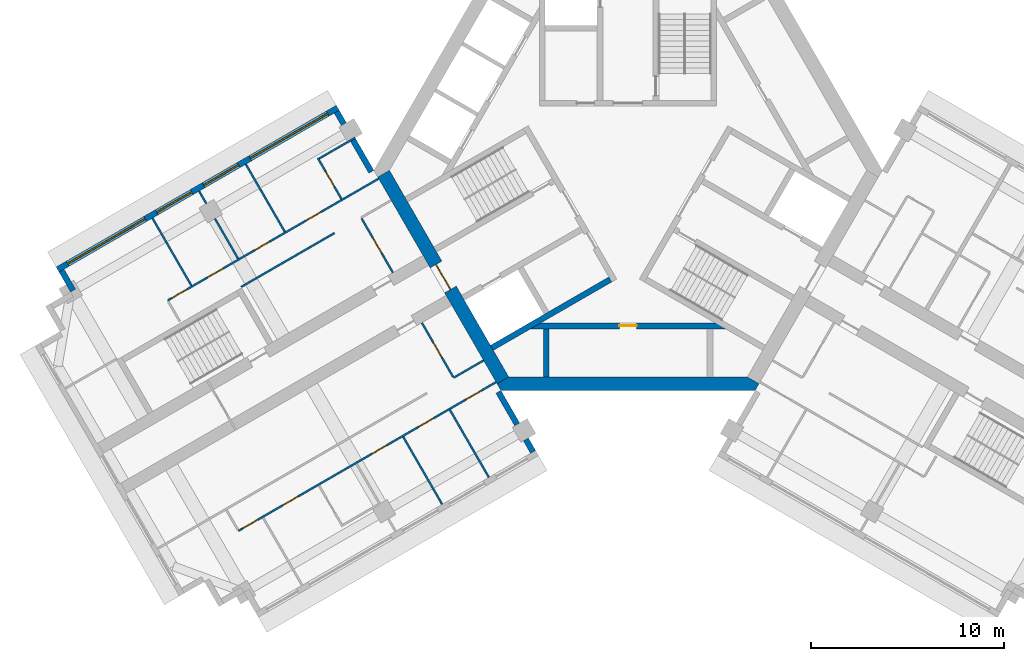
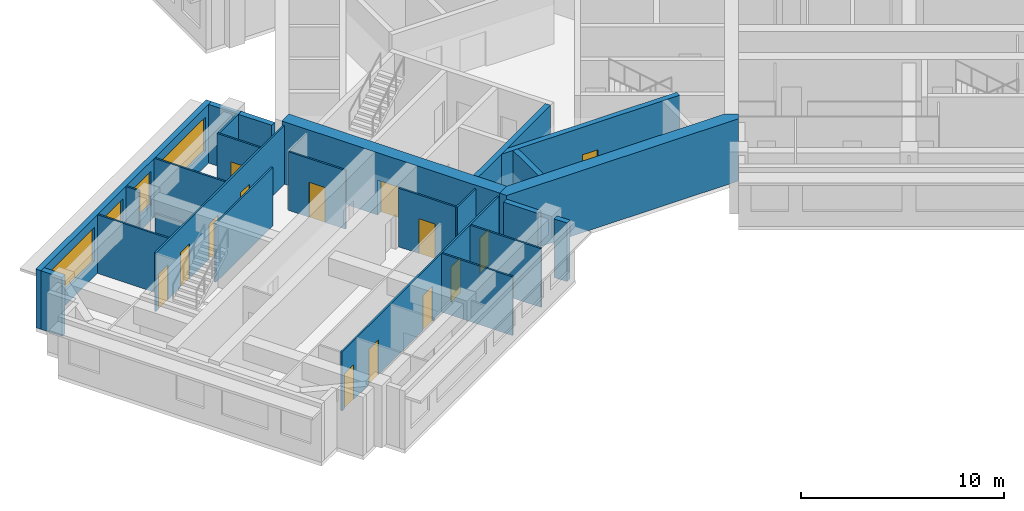
# One storey, part 3 of 10: 24 walls, 14 doors, 4 windows, 18 openings.
"""IFC4 building model written with IfcOpenShell, lengths in metres."""

from ifc_helpers import new_model, si_unit, direction, frame, frame_2d, origin, place, context, subcontext, project, spatial, polyline, rectangle, outline, extrude, material, layer, layer_set, type_object, element, fill, save


model = new_model("IFC4")

# Units and contexts
model_context = context("Model", 3, precision=1e-05, world=origin(), true_north=direction((0.0, 1.0)))
body_context = subcontext(model_context, "Body", "Model", "MODEL_VIEW")
ifc_project = project(units=[si_unit("LENGTHUNIT", "METRE"), si_unit("AREAUNIT", "SQUARE_METRE"), si_unit("VOLUMEUNIT", "CUBIC_METRE"), si_unit("PLANEANGLEUNIT", "RADIAN"), si_unit("MASSUNIT", "GRAM", prefix="KILO")], contexts=[model_context])

# Site, building, storey
site_placement = place(None, origin())
site = spatial("IfcSite", under=ifc_project, at=site_placement, CompositionType="ELEMENT")
building_placement = place(site_placement, origin())
building = spatial("IfcBuilding", under=site, at=building_placement, Name="Impinga Residences", CompositionType="ELEMENT")
storey_placement = place(building_placement, frame((0.0, 0.0, 263.5)))
storey = spatial("IfcBuildingStorey", under=building, at=storey_placement, Name="L66", CompositionType="ELEMENT", Elevation=263.5)

# Wall
ifc_material_1 = material(Name="Terracotta rainscreen on blockwork", Category="masonry")
ifc_layer_1 = layer(ifc_material_1, 0.300048828125)
ifc_layer_set_1 = layer_set([ifc_layer_1], Name="EW1 external wall, terracotta rainscreen on blockwork 300")
wall_type_1 = type_object("IfcWallType", Name="EW1 external wall, terracotta rainscreen on blockwork 300", PredefinedType="SOLIDWALL", material=ifc_layer_set_1)
wall_1_placement = place(storey_placement, frame((-28.8193359375, -6.24658203125, 0.0), z_axis=(0.0, 0.0, 1.0), x_axis=(-0.500033551112, 0.866006032174, 0.0)))
element("IfcWall", 1, at=wall_1_placement, inside=storey, type_object=wall_type_1, Name="External wall EW1 L66", PredefinedType="SOLIDWALL", context=body_context, shape_type="SweptSolid", body=[
    extrude(rectangle(XDim=1.2001953125, YDim=0.300048828125, at=frame_2d((0.60009765625, 0.0))), origin(), (0.0, 0.0, 1.0), 3.530029296875),
])

# Wall, openings, windows
wall_2_placement = place(storey_placement, frame((-29.624267578125, -5.15234375, 0.0), z_axis=(0.0, 0.0, 1.0), x_axis=(0.86602925447, 0.499993330357, 0.0)))
wall_2 = element("IfcWall", 2, at=wall_2_placement, inside=storey, type_object=wall_type_1, Name="External wall EW1 L66", PredefinedType="SOLIDWALL", context=body_context, shape_type="SweptSolid", body=[
    extrude(rectangle(XDim=16.800048828125, YDim=0.300048828125, at=frame_2d((8.39990234375, 0.0))), origin(), (0.0, 0.0, 1.0), 3.530029296875),
])
opening_1_placement = place(wall_2_placement, frame((0.60009765625, 0.0, 0.89990234375)))
opening_1 = element("IfcOpeningElement", 3, at=opening_1_placement, cuts=wall_2, Name="Opening W10", PredefinedType="OPENING", context=body_context, shape_type="SweptSolid", body=[
    extrude(rectangle(XDim=4.64990234375, YDim=2.050048828125, at=frame_2d((2.324951171875, 1.02490234375))), frame((0.0, 0.159912109375, 0.0), z_axis=(0.0, -1.0, 0.0), x_axis=(1.0, 0.0, 0.0)), (0.0, 0.0, 1.0), 0.320068359375),
])
opening_2_placement = place(wall_2_placement, frame((5.949951171875, 0.0, 0.89990234375)))
opening_2 = element("IfcOpeningElement", 4, at=opening_2_placement, cuts=wall_2, Name="Opening W9", PredefinedType="OPENING", context=body_context, shape_type="SweptSolid", body=[
    extrude(rectangle(XDim=2.10009765625, YDim=2.050048828125, at=frame_2d((1.050048828125, 1.02490234375))), frame((0.0, 0.159912109375, 0.0), z_axis=(0.0, -1.0, 0.0), x_axis=(1.0, 0.0, 0.0)), (0.0, 0.0, 1.0), 0.320068359375),
])
opening_3_placement = place(wall_2_placement, frame((8.75, 0.0, 0.89990234375)))
opening_3 = element("IfcOpeningElement", 5, at=opening_3_placement, cuts=wall_2, Name="Opening W9", PredefinedType="OPENING", context=body_context, shape_type="SweptSolid", body=[
    extrude(rectangle(XDim=2.10009765625, YDim=2.050048828125, at=frame_2d((1.050048828125, 1.02490234375))), frame((0.0, 0.159912109375, 0.0), z_axis=(0.0, -1.0, 0.0), x_axis=(1.0, 0.0, 0.0)), (0.0, 0.0, 1.0), 0.320068359375),
])
opening_4_placement = place(wall_2_placement, frame((11.550048828125, 0.0, 0.89990234375)))
opening_4 = element("IfcOpeningElement", 6, at=opening_4_placement, cuts=wall_2, Name="Opening W10", PredefinedType="OPENING", context=body_context, shape_type="SweptSolid", body=[
    extrude(rectangle(XDim=4.64990234375, YDim=2.050048828125, at=frame_2d((2.324951171875, 1.02490234375))), frame((0.0, 0.159912109375, 0.0), z_axis=(0.0, -1.0, 0.0), x_axis=(1.0, 0.0, 0.0)), (0.0, 0.0, 1.0), 0.320068359375),
])
ifc_material_2 = material(Name="Aluminium window, clear double glazing", Category="aluminium")
window_type_1 = type_object("IfcWindowType", Name="W10 ribbon window 4650x2050", PartitioningType="SINGLE_PANEL", PredefinedType="WINDOW", material=ifc_material_2)
window_1_placement = place(opening_1_placement, origin())
window_1 = element("IfcWindow", 7, at=window_1_placement, inside=storey, type_object=window_type_1, Name="Window L66", OverallHeight=2.050048828125, OverallWidth=4.64990234375, PartitioningType="SINGLE_PANEL", PredefinedType="WINDOW", context=body_context, shape_type="SweptSolid", body=[
    extrude(rectangle(XDim=4.64990234375, YDim=2.050048828125, at=frame_2d((2.324951171875, 1.02490234375))), frame((0.0, 0.030029296875, 0.0), z_axis=(0.0, -1.0, 0.0), x_axis=(1.0, 0.0, 0.0)), (0.0, 0.0, 1.0), 0.06005859375),
])
fill(opening_1, window_1)
window_2_placement = place(opening_4_placement, origin())
window_2 = element("IfcWindow", 8, at=window_2_placement, inside=storey, type_object=window_type_1, Name="Window L66", OverallHeight=2.050048828125, OverallWidth=4.64990234375, PartitioningType="SINGLE_PANEL", PredefinedType="WINDOW", context=body_context, shape_type="SweptSolid", body=[
    extrude(rectangle(XDim=4.64990234375, YDim=2.050048828125, at=frame_2d((2.324951171875, 1.02490234375))), frame((0.0, 0.030029296875, 0.0), z_axis=(0.0, -1.0, 0.0), x_axis=(1.0, 0.0, 0.0)), (0.0, 0.0, 1.0), 0.06005859375),
])
fill(opening_4, window_2)
window_type_2 = type_object("IfcWindowType", Name="W9 ribbon window 2100x2050", PartitioningType="SINGLE_PANEL", PredefinedType="WINDOW", material=ifc_material_2)
window_3_placement = place(opening_2_placement, origin())
window_3 = element("IfcWindow", 9, at=window_3_placement, inside=storey, type_object=window_type_2, Name="Window L66", OverallHeight=2.050048828125, OverallWidth=2.10009765625, PartitioningType="SINGLE_PANEL", PredefinedType="WINDOW", context=body_context, shape_type="SweptSolid", body=[
    extrude(rectangle(XDim=2.10009765625, YDim=2.050048828125, at=frame_2d((1.050048828125, 1.02490234375))), frame((0.0, 0.030029296875, 0.0), z_axis=(0.0, -1.0, 0.0), x_axis=(1.0, 0.0, 0.0)), (0.0, 0.0, 1.0), 0.06005859375),
])
fill(opening_2, window_3)
window_4_placement = place(opening_3_placement, origin())
window_4 = element("IfcWindow", 10, at=window_4_placement, inside=storey, type_object=window_type_2, Name="Window L66", OverallHeight=2.050048828125, OverallWidth=2.10009765625, PartitioningType="SINGLE_PANEL", PredefinedType="WINDOW", context=body_context, shape_type="SweptSolid", body=[
    extrude(rectangle(XDim=2.10009765625, YDim=2.050048828125, at=frame_2d((1.050048828125, 1.02490234375))), frame((0.0, 0.030029296875, 0.0), z_axis=(0.0, -1.0, 0.0), x_axis=(1.0, 0.0, 0.0)), (0.0, 0.0, 1.0), 0.06005859375),
])
fill(opening_3, window_4)

# Walls
wall_3_placement = place(storey_placement, frame((-15.1298828125, 3.042724609375, 0.0), z_axis=(0.0, 0.0, 1.0), x_axis=(0.500012057535, -0.866018442252, 0.0)))
element("IfcWall", 11, at=wall_3_placement, inside=storey, type_object=wall_type_1, Name="External wall EW1 L66", PredefinedType="SOLIDWALL", context=body_context, shape_type="SweptSolid", body=[
    extrude(rectangle(XDim=3.60009765625, YDim=0.300048828125, at=frame_2d((1.800048828125, 0.0))), origin(), (0.0, 0.0, 1.0), 3.530029296875),
])
wall_4_placement = place(storey_placement, frame((-6.72998046875, -11.506591796875, 0.0), z_axis=(0.0, 0.0, 1.0), x_axis=(0.500043961785, -0.866000020948, 0.0)))
element("IfcWall", 12, at=wall_4_placement, inside=storey, type_object=wall_type_1, Name="External wall EW1 L66", PredefinedType="SOLIDWALL", context=body_context, shape_type="SweptSolid", body=[
    extrude(rectangle(XDim=1.949951171875, YDim=0.300048828125, at=frame_2d((0.97509765625, 0.0))), origin(), (0.0, 0.0, 1.0), 3.530029296875),
])
wall_5_placement = place(storey_placement, frame((-5.304931640625, -13.974609375, 0.0), z_axis=(0.0, 0.0, 1.0), x_axis=(0.499919672301, -0.866071776036, 0.0)))
element("IfcWall", 13, at=wall_5_placement, inside=storey, type_object=wall_type_1, Name="External wall EW1 L66", PredefinedType="SOLIDWALL", context=body_context, shape_type="SweptSolid", body=[
    extrude(rectangle(XDim=0.75, YDim=0.300048828125, at=frame_2d((0.375, 0.0))), origin(), (0.0, 0.0, 1.0), 3.530029296875),
])
ifc_material_3 = material(Name="Gypsum board on steel studs", Category="steel")
ifc_layer_2 = layer(ifc_material_3, 0.10009765625)
ifc_layer_set_2 = layer_set([ifc_layer_2], Name="Gypsum board on steel studs")
wall_type_2 = type_object("IfcWallType", Name="IP1 partition 100", PredefinedType="PARTITIONING", material=ifc_layer_set_2)
wall_6_placement = place(storey_placement, frame((-7.5, -9.872802734375, 0.0), z_axis=(0.0, 0.0, 1.0), x_axis=(-0.866047807691, -0.499961193289, 0.0)))
element("IfcWall", 14, at=wall_6_placement, inside=storey, type_object=wall_type_2, Name="Partition L66-WA1:DIV0", PredefinedType="PARTITIONING", context=body_context, shape_type="SweptSolid", body=[
    extrude(rectangle(XDim=1.800048828125, YDim=0.10009765625, at=frame_2d((0.89990234375, 0.0))), origin(), (0.0, 0.0, 1.0), 3.530029296875),
])

# Wall, openings, doors
wall_7_placement = place(storey_placement, frame((-6.85009765625, -10.99853515625, 0.0), z_axis=(0.0, 0.0, 1.0), x_axis=(-0.866019273868, -0.500010617176, 0.0)))
wall_7 = element("IfcWall", 15, at=wall_7_placement, inside=storey, type_object=wall_type_2, Name="Partition L66-WA1:STRIP", PredefinedType="PARTITIONING", context=body_context, shape_type="SweptSolid", body=[
    extrude(rectangle(XDim=15.449951171875, YDim=0.10009765625, at=frame_2d((7.72509765625, 0.0))), origin(), (0.0, 0.0, 1.0), 3.530029296875),
])
opening_5_placement = place(wall_7_placement, frame((0.925048828125, 0.0, 0.0)))
opening_5 = element("IfcOpeningElement", 16, at=opening_5_placement, cuts=wall_7, Name="Opening D2", PredefinedType="OPENING", context=body_context, shape_type="SweptSolid", body=[
    extrude(rectangle(XDim=0.89990234375, YDim=2.10009765625, at=frame_2d((0.449951171875, 1.050048828125))), frame((0.0, 0.06005859375, 0.0), z_axis=(0.0, -1.0, 0.0), x_axis=(1.0, 0.0, 0.0)), (0.0, 0.0, 1.0), 0.1201171875),
])
opening_6_placement = place(wall_7_placement, frame((3.75, 0.0, 0.0)))
opening_6 = element("IfcOpeningElement", 17, at=opening_6_placement, cuts=wall_7, Name="Opening D2", PredefinedType="OPENING", context=body_context, shape_type="SweptSolid", body=[
    extrude(rectangle(XDim=0.89990234375, YDim=2.10009765625, at=frame_2d((0.449951171875, 1.050048828125))), frame((0.0, 0.06005859375, 0.0), z_axis=(0.0, -1.0, 0.0), x_axis=(1.0, 0.0, 0.0)), (0.0, 0.0, 1.0), 0.1201171875),
])
opening_7_placement = place(wall_7_placement, frame((6.550048828125, 0.0, 0.0)))
opening_7 = element("IfcOpeningElement", 18, at=opening_7_placement, cuts=wall_7, Name="Opening D2", PredefinedType="OPENING", context=body_context, shape_type="SweptSolid", body=[
    extrude(rectangle(XDim=0.89990234375, YDim=2.10009765625, at=frame_2d((0.449951171875, 1.050048828125))), frame((0.0, 0.06005859375, 0.0), z_axis=(0.0, -1.0, 0.0), x_axis=(1.0, 0.0, 0.0)), (0.0, 0.0, 1.0), 0.1201171875),
])
opening_8_placement = place(wall_7_placement, frame((11.875, 0.0, 0.0)))
opening_8 = element("IfcOpeningElement", 19, at=opening_8_placement, cuts=wall_7, Name="Opening D2", PredefinedType="OPENING", context=body_context, shape_type="SweptSolid", body=[
    extrude(rectangle(XDim=0.89990234375, YDim=2.10009765625, at=frame_2d((0.449951171875, 1.050048828125))), frame((0.0, 0.06005859375, 0.0), z_axis=(0.0, -1.0, 0.0), x_axis=(1.0, 0.0, 0.0)), (0.0, 0.0, 1.0), 0.1201171875),
])
opening_9_placement = place(wall_7_placement, frame((14.300048828125, 0.0, 0.0)))
opening_9 = element("IfcOpeningElement", 20, at=opening_9_placement, cuts=wall_7, Name="Opening D2", PredefinedType="OPENING", context=body_context, shape_type="SweptSolid", body=[
    extrude(rectangle(XDim=0.89990234375, YDim=2.10009765625, at=frame_2d((0.449951171875, 1.050048828125))), frame((0.0, 0.06005859375, 0.0), z_axis=(0.0, -1.0, 0.0), x_axis=(1.0, 0.0, 0.0)), (0.0, 0.0, 1.0), 0.1201171875),
])
ifc_material_4 = material(Name="Timber door set", Category="wood")
door_type_1 = type_object("IfcDoorType", Name="D2 internal door 900x2100", OperationType="SINGLE_SWING_LEFT", PredefinedType="DOOR", material=ifc_material_4)
door_1_placement = place(opening_5_placement, origin())
door_1 = element("IfcDoor", 21, at=door_1_placement, inside=storey, type_object=door_type_1, Name="Apartment L66-WA1 room door", OperationType="SINGLE_SWING_LEFT", OverallHeight=2.10009765625, OverallWidth=0.89990234375, PredefinedType="DOOR", context=body_context, shape_type="SweptSolid", body=[
    extrude(rectangle(XDim=0.89990234375, YDim=2.10009765625, at=frame_2d((0.449951171875, 1.050048828125))), frame((0.0, 0.02490234375, 0.0), z_axis=(0.0, -1.0, 0.0), x_axis=(1.0, 0.0, 0.0)), (0.0, 0.0, 1.0), 0.050048828125),
])
fill(opening_5, door_1)
door_2_placement = place(opening_6_placement, origin())
door_2 = element("IfcDoor", 22, at=door_2_placement, inside=storey, type_object=door_type_1, Name="Apartment L66-WA1 room door", OperationType="SINGLE_SWING_LEFT", OverallHeight=2.10009765625, OverallWidth=0.89990234375, PredefinedType="DOOR", context=body_context, shape_type="SweptSolid", body=[
    extrude(rectangle(XDim=0.89990234375, YDim=2.10009765625, at=frame_2d((0.449951171875, 1.050048828125))), frame((0.0, 0.02490234375, 0.0), z_axis=(0.0, -1.0, 0.0), x_axis=(1.0, 0.0, 0.0)), (0.0, 0.0, 1.0), 0.050048828125),
])
fill(opening_6, door_2)
door_3_placement = place(opening_7_placement, origin())
door_3 = element("IfcDoor", 23, at=door_3_placement, inside=storey, type_object=door_type_1, Name="Apartment L66-WA1 room door", OperationType="SINGLE_SWING_LEFT", OverallHeight=2.10009765625, OverallWidth=0.89990234375, PredefinedType="DOOR", context=body_context, shape_type="SweptSolid", body=[
    extrude(rectangle(XDim=0.89990234375, YDim=2.10009765625, at=frame_2d((0.449951171875, 1.050048828125))), frame((0.0, 0.02490234375, 0.0), z_axis=(0.0, -1.0, 0.0), x_axis=(1.0, 0.0, 0.0)), (0.0, 0.0, 1.0), 0.050048828125),
])
fill(opening_7, door_3)
door_4_placement = place(opening_8_placement, origin())
door_4 = element("IfcDoor", 24, at=door_4_placement, inside=storey, type_object=door_type_1, Name="Apartment L66-WA1 room door", OperationType="SINGLE_SWING_RIGHT", OverallHeight=2.10009765625, OverallWidth=0.89990234375, PredefinedType="DOOR", context=body_context, shape_type="SweptSolid", body=[
    extrude(rectangle(XDim=0.89990234375, YDim=2.10009765625, at=frame_2d((0.449951171875, 1.050048828125))), frame((0.0, 0.02490234375, 0.0), z_axis=(0.0, -1.0, 0.0), x_axis=(1.0, 0.0, 0.0)), (0.0, 0.0, 1.0), 0.050048828125),
])
fill(opening_8, door_4)
door_5_placement = place(opening_9_placement, origin())
door_5 = element("IfcDoor", 25, at=door_5_placement, inside=storey, type_object=door_type_1, Name="Apartment L66-WA1 room door", OperationType="SINGLE_SWING_RIGHT", OverallHeight=2.10009765625, OverallWidth=0.89990234375, PredefinedType="DOOR", context=body_context, shape_type="SweptSolid", body=[
    extrude(rectangle(XDim=0.89990234375, YDim=2.10009765625, at=frame_2d((0.449951171875, 1.050048828125))), frame((0.0, 0.02490234375, 0.0), z_axis=(0.0, -1.0, 0.0), x_axis=(1.0, 0.0, 0.0)), (0.0, 0.0, 1.0), 0.050048828125),
])
fill(opening_9, door_5)

# Wall, opening, door
wall_8_placement = place(storey_placement, frame((-10.708740234375, -7.914794921875, 0.0), z_axis=(0.0, 0.0, 1.0), x_axis=(0.499984717929, -0.866034226713, 0.0)))
wall_8 = element("IfcWall", 26, at=wall_8_placement, inside=storey, type_object=wall_type_2, Name="Partition L66-WA1:IB1", PredefinedType="PARTITIONING", context=body_context, shape_type="SweptSolid", body=[
    extrude(rectangle(XDim=3.25, YDim=0.10009765625, at=frame_2d((1.625, 0.0))), origin(), (0.0, 0.0, 1.0), 3.530029296875),
])
opening_10_placement = place(wall_8_placement, frame((1.175048828125, 0.0, 0.0)))
opening_10 = element("IfcOpeningElement", 27, at=opening_10_placement, cuts=wall_8, Name="Opening D2", PredefinedType="OPENING", context=body_context, shape_type="SweptSolid", body=[
    extrude(rectangle(XDim=0.89990234375, YDim=2.10009765625, at=frame_2d((0.449951171875, 1.050048828125))), frame((0.0, 0.06005859375, 0.0), z_axis=(0.0, -1.0, 0.0), x_axis=(1.0, 0.0, 0.0)), (0.0, 0.0, 1.0), 0.1201171875),
])
door_6_placement = place(opening_10_placement, origin())
door_6 = element("IfcDoor", 28, at=door_6_placement, inside=storey, type_object=door_type_1, Name="Apartment L66-WA1 bathroom door", OperationType="SINGLE_SWING_LEFT", OverallHeight=2.10009765625, OverallWidth=0.89990234375, PredefinedType="DOOR", context=body_context, shape_type="SweptSolid", body=[
    extrude(rectangle(XDim=0.89990234375, YDim=2.10009765625, at=frame_2d((0.449951171875, 1.050048828125))), frame((0.0, 0.02490234375, 0.0), z_axis=(0.0, -1.0, 0.0), x_axis=(1.0, 0.0, 0.0)), (0.0, 0.0, 1.0), 0.050048828125),
])
fill(opening_10, door_6)

# Walls
wall_9_placement = place(storey_placement, frame((-9.249755859375, -12.44189453125, 0.0), z_axis=(0.0, 0.0, 1.0), x_axis=(0.499990325971, -0.866030989016, 0.0)))
element("IfcWall", 29, at=wall_9_placement, inside=storey, type_object=wall_type_2, Name="Partition L66-WA1:OB1", PredefinedType="PARTITIONING", context=body_context, shape_type="SweptSolid", body=[
    extrude(rectangle(XDim=4.0498046875, YDim=0.10009765625, at=frame_2d((2.02490234375, 0.0))), origin(), (0.0, 0.0, 1.0), 3.530029296875),
])
wall_10_placement = place(storey_placement, frame((-11.6748046875, -13.841796875, 0.0), z_axis=(0.0, 0.0, 1.0), x_axis=(0.500035537042, -0.866004885491, 0.0)))
element("IfcWall", 30, at=wall_10_placement, inside=storey, type_object=wall_type_2, Name="Partition L66-WA1:OB2", PredefinedType="PARTITIONING", context=body_context, shape_type="SweptSolid", body=[
    extrude(rectangle(XDim=4.050048828125, YDim=0.10009765625, at=frame_2d((2.02490234375, 0.0))), origin(), (0.0, 0.0, 1.0), 3.530029296875),
])
wall_11_placement = place(storey_placement, frame((-15.244384765625, -3.2587890625, 0.0), z_axis=(0.0, 0.0, 1.0), x_axis=(-0.866026594901, -0.49999793692, 0.0)))
element("IfcWall", 31, at=wall_11_placement, inside=storey, type_object=wall_type_2, Name="Partition L66-WF1:DIV1", PredefinedType="PARTITIONING", context=body_context, shape_type="SweptSolid", body=[
    extrude(rectangle(XDim=5.60009765625, YDim=0.10009765625, at=frame_2d((2.800048828125, 0.0))), origin(), (0.0, 0.0, 1.0), 3.530029296875),
])

# Wall, openings, doors
wall_12_placement = place(storey_placement, frame((-12.949951171875, -0.43310546875, 0.0), z_axis=(0.0, 0.0, 1.0), x_axis=(-0.866029069366, -0.499993650972, 0.0)))
wall_12 = element("IfcWall", 32, at=wall_12_placement, inside=storey, type_object=wall_type_2, Name="Partition L66-WF1:STRIP", PredefinedType="PARTITIONING", context=body_context, shape_type="SweptSolid", body=[
    extrude(rectangle(XDim=12.650146484375, YDim=0.10009765625, at=frame_2d((6.3251953125, 0.0))), origin(), (0.0, 0.0, 1.0), 3.530029296875),
])
opening_11_placement = place(wall_12_placement, frame((3.449951171875, 0.0, 0.0)))
opening_11 = element("IfcOpeningElement", 33, at=opening_11_placement, cuts=wall_12, Name="Opening D2", PredefinedType="OPENING", context=body_context, shape_type="SweptSolid", body=[
    extrude(rectangle(XDim=0.89990234375, YDim=2.10009765625, at=frame_2d((0.449951171875, 1.050048828125))), frame((0.0, 0.06005859375, 0.0), z_axis=(0.0, -1.0, 0.0), x_axis=(1.0, 0.0, 0.0)), (0.0, 0.0, 1.0), 0.1201171875),
])
opening_12_placement = place(wall_12_placement, frame((6.550048828125, 0.0, 0.0)))
opening_12 = element("IfcOpeningElement", 34, at=opening_12_placement, cuts=wall_12, Name="Opening D2", PredefinedType="OPENING", context=body_context, shape_type="SweptSolid", body=[
    extrude(rectangle(XDim=0.89990234375, YDim=2.10009765625, at=frame_2d((0.449951171875, 1.050048828125))), frame((0.0, 0.06005859375, 0.0), z_axis=(0.0, -1.0, 0.0), x_axis=(1.0, 0.0, 0.0)), (0.0, 0.0, 1.0), 0.1201171875),
])
opening_13_placement = place(wall_12_placement, frame((9.35009765625, 0.0, 0.0)))
opening_13 = element("IfcOpeningElement", 35, at=opening_13_placement, cuts=wall_12, Name="Opening D2", PredefinedType="OPENING", context=body_context, shape_type="SweptSolid", body=[
    extrude(rectangle(XDim=0.89990234375, YDim=2.10009765625, at=frame_2d((0.449951171875, 1.050048828125))), frame((0.0, 0.06005859375, 0.0), z_axis=(0.0, -1.0, 0.0), x_axis=(1.0, 0.0, 0.0)), (0.0, 0.0, 1.0), 0.1201171875),
])
opening_14_placement = place(wall_12_placement, frame((11.5, 0.0, 0.0)))
opening_14 = element("IfcOpeningElement", 36, at=opening_14_placement, cuts=wall_12, Name="Opening D2", PredefinedType="OPENING", context=body_context, shape_type="SweptSolid", body=[
    extrude(rectangle(XDim=0.89990234375, YDim=2.10009765625, at=frame_2d((0.449951171875, 1.050048828125))), frame((0.0, 0.06005859375, 0.0), z_axis=(0.0, -1.0, 0.0), x_axis=(1.0, 0.0, 0.0)), (0.0, 0.0, 1.0), 0.1201171875),
])
door_7_placement = place(opening_11_placement, origin())
door_7 = element("IfcDoor", 37, at=door_7_placement, inside=storey, type_object=door_type_1, Name="Apartment L66-WF1 room door", OperationType="SINGLE_SWING_LEFT", OverallHeight=2.10009765625, OverallWidth=0.89990234375, PredefinedType="DOOR", context=body_context, shape_type="SweptSolid", body=[
    extrude(rectangle(XDim=0.89990234375, YDim=2.10009765625, at=frame_2d((0.449951171875, 1.050048828125))), frame((0.0, 0.02490234375, 0.0), z_axis=(0.0, -1.0, 0.0), x_axis=(1.0, 0.0, 0.0)), (0.0, 0.0, 1.0), 0.050048828125),
])
fill(opening_11, door_7)
door_8_placement = place(opening_12_placement, origin())
door_8 = element("IfcDoor", 38, at=door_8_placement, inside=storey, type_object=door_type_1, Name="Apartment L66-WF1 room door", OperationType="SINGLE_SWING_RIGHT", OverallHeight=2.10009765625, OverallWidth=0.89990234375, PredefinedType="DOOR", context=body_context, shape_type="SweptSolid", body=[
    extrude(rectangle(XDim=0.89990234375, YDim=2.10009765625, at=frame_2d((0.449951171875, 1.050048828125))), frame((0.0, 0.02490234375, 0.0), z_axis=(0.0, -1.0, 0.0), x_axis=(1.0, 0.0, 0.0)), (0.0, 0.0, 1.0), 0.050048828125),
])
fill(opening_12, door_8)
door_9_placement = place(opening_13_placement, origin())
door_9 = element("IfcDoor", 39, at=door_9_placement, inside=storey, type_object=door_type_1, Name="Apartment L66-WF1 room door", OperationType="SINGLE_SWING_RIGHT", OverallHeight=2.10009765625, OverallWidth=0.89990234375, PredefinedType="DOOR", context=body_context, shape_type="SweptSolid", body=[
    extrude(rectangle(XDim=0.89990234375, YDim=2.10009765625, at=frame_2d((0.449951171875, 1.050048828125))), frame((0.0, 0.02490234375, 0.0), z_axis=(0.0, -1.0, 0.0), x_axis=(1.0, 0.0, 0.0)), (0.0, 0.0, 1.0), 0.050048828125),
])
fill(opening_13, door_9)
door_10_placement = place(opening_14_placement, origin())
door_10 = element("IfcDoor", 40, at=door_10_placement, inside=storey, type_object=door_type_1, Name="Apartment L66-WF1 room door", OperationType="SINGLE_SWING_RIGHT", OverallHeight=2.10009765625, OverallWidth=0.89990234375, PredefinedType="DOOR", context=body_context, shape_type="SweptSolid", body=[
    extrude(rectangle(XDim=0.89990234375, YDim=2.10009765625, at=frame_2d((0.449951171875, 1.050048828125))), frame((0.0, 0.02490234375, 0.0), z_axis=(0.0, -1.0, 0.0), x_axis=(1.0, 0.0, 0.0)), (0.0, 0.0, 1.0), 0.050048828125),
])
fill(opening_14, door_10)

# Wall, opening, door
wall_13_placement = place(storey_placement, frame((-12.208740234375, -5.316650390625, 0.0), z_axis=(0.0, 0.0, 1.0), x_axis=(-0.500017246033, 0.866015446554, 0.0)))
wall_13 = element("IfcWall", 41, at=wall_13_placement, inside=storey, type_object=wall_type_2, Name="Partition L66-WF1:IB1", PredefinedType="PARTITIONING", context=body_context, shape_type="SweptSolid", body=[
    extrude(rectangle(XDim=3.25, YDim=0.10009765625, at=frame_2d((1.625, 0.0))), origin(), (0.0, 0.0, 1.0), 3.530029296875),
])
opening_15_placement = place(wall_13_placement, frame((1.175048828125, 0.0, 0.0)))
opening_15 = element("IfcOpeningElement", 42, at=opening_15_placement, cuts=wall_13, Name="Opening D2", PredefinedType="OPENING", context=body_context, shape_type="SweptSolid", body=[
    extrude(rectangle(XDim=0.89990234375, YDim=2.10009765625, at=frame_2d((0.449951171875, 1.050048828125))), frame((0.0, 0.06005859375, 0.0), z_axis=(0.0, -1.0, 0.0), x_axis=(1.0, 0.0, 0.0)), (0.0, 0.0, 1.0), 0.1201171875),
])
door_11_placement = place(opening_15_placement, origin())
door_11 = element("IfcDoor", 43, at=door_11_placement, inside=storey, type_object=door_type_1, Name="Apartment L66-WF1 bathroom door", OperationType="SINGLE_SWING_LEFT", OverallHeight=2.10009765625, OverallWidth=0.89990234375, PredefinedType="DOOR", context=body_context, shape_type="SweptSolid", body=[
    extrude(rectangle(XDim=0.89990234375, YDim=2.10009765625, at=frame_2d((0.449951171875, 1.050048828125))), frame((0.0, 0.02490234375, 0.0), z_axis=(0.0, -1.0, 0.0), x_axis=(1.0, 0.0, 0.0)), (0.0, 0.0, 1.0), 0.050048828125),
])
fill(opening_15, door_11)

# Walls
wall_14_placement = place(storey_placement, frame((-17.82470703125, -3.189697265625, 0.0), z_axis=(0.0, 0.0, 1.0), x_axis=(-0.500035537042, 0.866004885491, 0.0)))
element("IfcWall", 44, at=wall_14_placement, inside=storey, type_object=wall_type_2, Name="Partition L66-WF1:OB1", PredefinedType="PARTITIONING", context=body_context, shape_type="SweptSolid", body=[
    extrude(rectangle(XDim=4.050048828125, YDim=0.10009765625, at=frame_2d((2.02490234375, 0.0))), origin(), (0.0, 0.0, 1.0), 3.530029296875),
])
wall_15_placement = place(storey_placement, frame((-20.24951171875, -4.589599609375, 0.0), z_axis=(0.0, 0.0, 1.0), x_axis=(-0.500077600433, 0.865980596518, 0.0)))
element("IfcWall", 45, at=wall_15_placement, inside=storey, type_object=wall_type_2, Name="Partition L66-WF1:OB2", PredefinedType="PARTITIONING", context=body_context, shape_type="SweptSolid", body=[
    extrude(rectangle(XDim=2.39990234375, YDim=0.10009765625, at=frame_2d((1.199951171875, 0.0))), origin(), (0.0, 0.0, 1.0), 2.47998046875),
])
wall_16_placement = place(storey_placement, frame((-21.899658203125, -1.73193359375, 0.0), z_axis=(0.0, 0.0, 1.0), x_axis=(-0.499919672301, 0.866071776036, 0.0)))
element("IfcWall", 46, at=wall_16_placement, inside=storey, type_object=wall_type_2, Name="Partition L66-WF1:OB2b", PredefinedType="PARTITIONING", context=body_context, shape_type="SweptSolid", body=[
    extrude(rectangle(XDim=0.75, YDim=0.10009765625, at=frame_2d((0.375, 0.0))), origin(), (0.0, 0.0, 1.0), 3.530029296875),
])
wall_17_placement = place(storey_placement, frame((-22.674560546875, -5.98974609375, 0.0), z_axis=(0.0, 0.0, 1.0), x_axis=(-0.499990325971, 0.866030989016, 0.0)))
element("IfcWall", 47, at=wall_17_placement, inside=storey, type_object=wall_type_2, Name="Partition L66-WF1:OB3", PredefinedType="PARTITIONING", context=body_context, shape_type="SweptSolid", body=[
    extrude(rectangle(XDim=4.0498046875, YDim=0.10009765625, at=frame_2d((2.02490234375, 0.0))), origin(), (0.0, 0.0, 1.0), 3.530029296875),
])

# Wall, opening, door
wall_18_placement = place(storey_placement, frame((-14.88037109375, -1.48974609375, 0.0), z_axis=(0.0, 0.0, 1.0), x_axis=(-0.499943856944, 0.866057815567, 0.0)))
wall_18 = element("IfcWall", 48, at=wall_18_placement, inside=storey, type_object=wall_type_2, Name="Partition L66-WF1:EN1", PredefinedType="PARTITIONING", context=body_context, shape_type="SweptSolid", body=[
    extrude(rectangle(XDim=2.449951171875, YDim=0.10009765625, at=frame_2d((1.22509765625, 0.0))), origin(), (0.0, 0.0, 1.0), 3.530029296875),
])
opening_16_placement = place(wall_18_placement, frame((0.75, 0.0, 0.0)))
opening_16 = element("IfcOpeningElement", 49, at=opening_16_placement, cuts=wall_18, Name="Opening D2", PredefinedType="OPENING", context=body_context, shape_type="SweptSolid", body=[
    extrude(rectangle(XDim=0.89990234375, YDim=2.10009765625, at=frame_2d((0.449951171875, 1.050048828125))), frame((0.0, 0.06005859375, 0.0), z_axis=(0.0, -1.0, 0.0), x_axis=(1.0, 0.0, 0.0)), (0.0, 0.0, 1.0), 0.1201171875),
])
door_12_placement = place(opening_16_placement, origin())
door_12 = element("IfcDoor", 50, at=door_12_placement, inside=storey, type_object=door_type_1, Name="Apartment L66-WF1 en-suite door", OperationType="SINGLE_SWING_LEFT", OverallHeight=2.10009765625, OverallWidth=0.89990234375, PredefinedType="DOOR", context=body_context, shape_type="SweptSolid", body=[
    extrude(rectangle(XDim=0.89990234375, YDim=2.10009765625, at=frame_2d((0.449951171875, 1.050048828125))), frame((0.0, 0.02490234375, 0.0), z_axis=(0.0, -1.0, 0.0), x_axis=(1.0, 0.0, 0.0)), (0.0, 0.0, 1.0), 0.050048828125),
])
fill(opening_16, door_12)

# Wall
wall_19_placement = place(storey_placement, frame((-14.175048828125, 1.688720703125, 0.0), z_axis=(0.0, 0.0, 1.0), x_axis=(-0.866019166195, -0.500010803666, 0.0)))
element("IfcWall", 51, at=wall_19_placement, inside=storey, type_object=wall_type_2, Name="Partition L66-WF1:EN2", PredefinedType="PARTITIONING", context=body_context, shape_type="SweptSolid", body=[
    extrude(rectangle(XDim=2.14990234375, YDim=0.10009765625, at=frame_2d((1.074951171875, 0.0))), origin(), (0.0, 0.0, 1.0), 3.530029296875),
])

# Wall, opening, door
ifc_material_5 = material(Name="Concrete C60/75", Category="concrete")
ifc_layer_3 = layer(ifc_material_5, 0.699951171875)
ifc_layer_set_3 = layer_set([ifc_layer_3], Name="Concrete C60/75")
wall_type_3 = type_object("IfcWallType", Name="SW3 core wall 700", PredefinedType="SHEAR", material=ifc_layer_set_3)
wall_20_placement = place(storey_placement, frame((-6.4990234375, -10.906494140625, 0.0), z_axis=(0.0, 0.0, 1.0), x_axis=(-0.499999875397, 0.866025475724, 0.0)))
wall_20 = element("IfcWall", 52, at=wall_20_placement, inside=storey, type_object=wall_type_3, Name="Core wall SW3 W:FACE L66", PredefinedType="SHEAR", context=body_context, shape_type="SweptSolid", body=[
    extrude(rectangle(XDim=12.3916015625, YDim=0.699951171875, at=frame_2d((6.19580078125, 0.0))), origin(), (0.0, 0.0, 1.0), 3.75),
])
opening_17_placement = place(wall_20_placement, frame((5.44580078125, 0.0, 0.0)))
opening_17 = element("IfcOpeningElement", 53, at=opening_17_placement, cuts=wall_20, Name="Opening D4", PredefinedType="OPENING", context=body_context, shape_type="SweptSolid", body=[
    extrude(rectangle(XDim=1.5, YDim=2.10009765625, at=frame_2d((0.75, 1.050048828125))), frame((0.0, 0.35986328125, 0.0), z_axis=(0.0, -1.0, 0.0), x_axis=(1.0, 0.0, 0.0)), (0.0, 0.0, 1.0), 0.719970703125),
])
door_type_2 = type_object("IfcDoorType", Name="D4 lobby door pair 1500x2100", OperationType="DOUBLE_DOOR_DOUBLE_SWING", PredefinedType="DOOR", material=ifc_material_4)
door_13_placement = place(opening_17_placement, origin())
door_13 = element("IfcDoor", 54, at=door_13_placement, inside=storey, type_object=door_type_2, Name="Lobby door W", OperationType="DOUBLE_DOOR_DOUBLE_SWING", OverallHeight=2.10009765625, OverallWidth=1.5, PredefinedType="DOOR", context=body_context, shape_type="SweptSolid", body=[
    extrude(rectangle(XDim=1.5, YDim=2.10009765625, at=frame_2d((0.75, 1.050048828125))), frame((0.0, 0.02490234375, 0.0), z_axis=(0.0, -1.0, 0.0), x_axis=(1.0, 0.0, 0.0)), (0.0, 0.0, 1.0), 0.050048828125),
])
fill(opening_17, door_13)

# Walls
wall_21_placement = place(storey_placement, origin())
element("IfcWall", 55, at=wall_21_placement, inside=storey, type_object=wall_type_3, Name="Core wall SW3 N:EXPOSED L66", PredefinedType="SHEAR", context=body_context, shape_type="SweptSolid", body=[
    extrude(outline(polyline([(-6.60009765625, -11.431640625), (6.60009765625, -11.431640625), (6.802001953125, -11.08154296875), (6.19580078125, -10.7314453125), (-6.19580078125, -10.7314453125), (-6.802001953125, -11.08154296875), (-6.60009765625, -11.431640625)])), origin(), (0.0, 0.0, 1.0), 3.75),
])
ifc_material_6 = material(Name="Concrete C70/85", Category="concrete")
ifc_layer_4 = layer(ifc_material_6, 0.300048828125)
ifc_layer_set_4 = layer_set([ifc_layer_4], Name="Concrete C70/85")
wall_type_4 = type_object("IfcWallType", Name="SW5 core inner wall, stairs, shafts and lobbies 300", PredefinedType="SHEAR", material=ifc_layer_set_4)
wall_22_placement = place(storey_placement, frame((-0.918701171875, -5.668701171875, 0.0), z_axis=(0.0, 0.0, 1.0), x_axis=(-0.866025859768, -0.499999210213, 0.0)))
element("IfcWall", 56, at=wall_22_placement, inside=storey, type_object=wall_type_4, Name="Core wall SW5 W:FF-OUT L66", PredefinedType="SHEAR", context=body_context, shape_type="SweptSolid", body=[
    extrude(rectangle(XDim=7.1015625, YDim=0.300048828125, at=frame_2d((3.55078125, 0.0))), origin(), (0.0, 0.0, 1.0), 3.75),
])

# Wall, opening, door
wall_23_placement = place(storey_placement, frame((5.09765625, -8.08154296875, 0.0), z_axis=(0.0, 0.0, 1.0), x_axis=(-1.0, 0.0, 0.0)))
wall_23 = element("IfcWall", 57, at=wall_23_placement, inside=storey, type_object=wall_type_4, Name="Core wall SW5 N:BANK-FRONT L66", PredefinedType="SHEAR", context=body_context, shape_type="SweptSolid", body=[
    extrude(rectangle(XDim=10.1953125, YDim=0.300048828125, at=frame_2d((5.09765625, 0.0))), origin(), (0.0, 0.0, 1.0), 3.75),
])
opening_18_placement = place(wall_23_placement, frame((4.647705078125, 0.0, 0.0)))
opening_18 = element("IfcOpeningElement", 58, at=opening_18_placement, cuts=wall_23, Name="Opening D6", PredefinedType="OPENING", context=body_context, shape_type="SweptSolid", body=[
    extrude(rectangle(XDim=0.89990234375, YDim=2.10009765625, at=frame_2d((0.449951171875, 1.050048828125))), frame((0.0, 0.159912109375, 0.0), z_axis=(0.0, -1.0, 0.0), x_axis=(1.0, 0.0, 0.0)), (0.0, 0.0, 1.0), 0.320068359375),
])
door_type_3 = type_object("IfcDoorType", Name="D6 riser and store door 900x2100", OperationType="SINGLE_SWING_LEFT", PredefinedType="DOOR", material=ifc_material_4)
door_14_placement = place(opening_18_placement, origin())
door_14 = element("IfcDoor", 59, at=door_14_placement, inside=storey, type_object=door_type_3, Name="IT and communications room door", OperationType="SINGLE_SWING_LEFT", OverallHeight=2.10009765625, OverallWidth=0.89990234375, PredefinedType="DOOR", context=body_context, shape_type="SweptSolid", body=[
    extrude(rectangle(XDim=0.89990234375, YDim=2.10009765625, at=frame_2d((0.449951171875, 1.050048828125))), frame((0.0, 0.02490234375, 0.0), z_axis=(0.0, -1.0, 0.0), x_axis=(1.0, 0.0, 0.0)), (0.0, 0.0, 1.0), 0.050048828125),
])
fill(opening_18, door_14)

# Wall
wall_24_placement = place(storey_placement, frame((-4.25, -8.2314453125, 0.0), z_axis=(0.0, 0.0, 1.0), x_axis=(0.0, -1.0, 0.0)))
element("IfcWall", 60, at=wall_24_placement, inside=storey, type_object=wall_type_4, Name="Core wall SW5 N:BANK-R L66", PredefinedType="SHEAR", context=body_context, shape_type="SweptSolid", body=[
    extrude(rectangle(XDim=2.5, YDim=0.300048828125, at=frame_2d((1.25, 0.0))), origin(), (0.0, 0.0, 1.0), 3.75),
])

save(model, "model.ifc")
